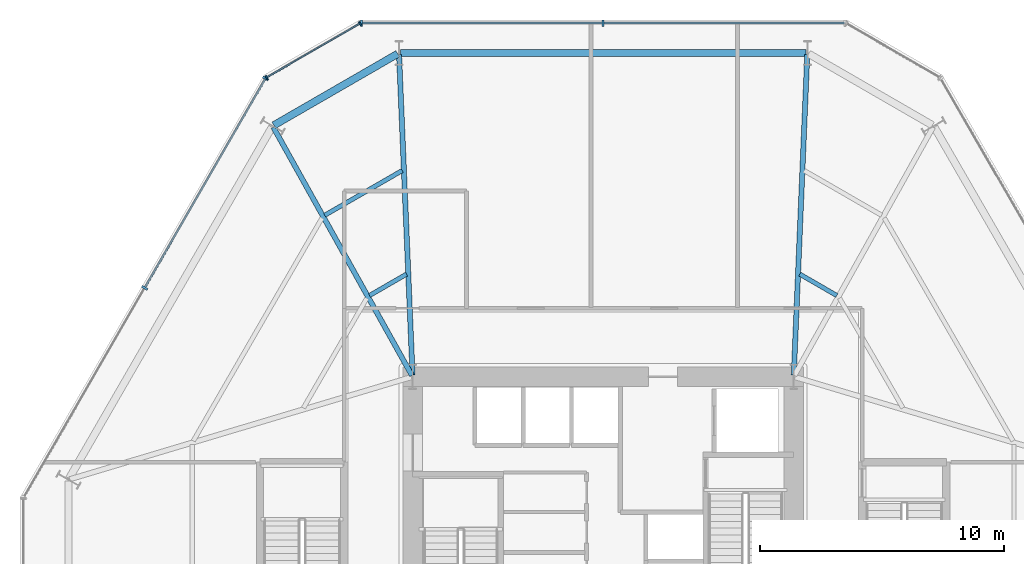
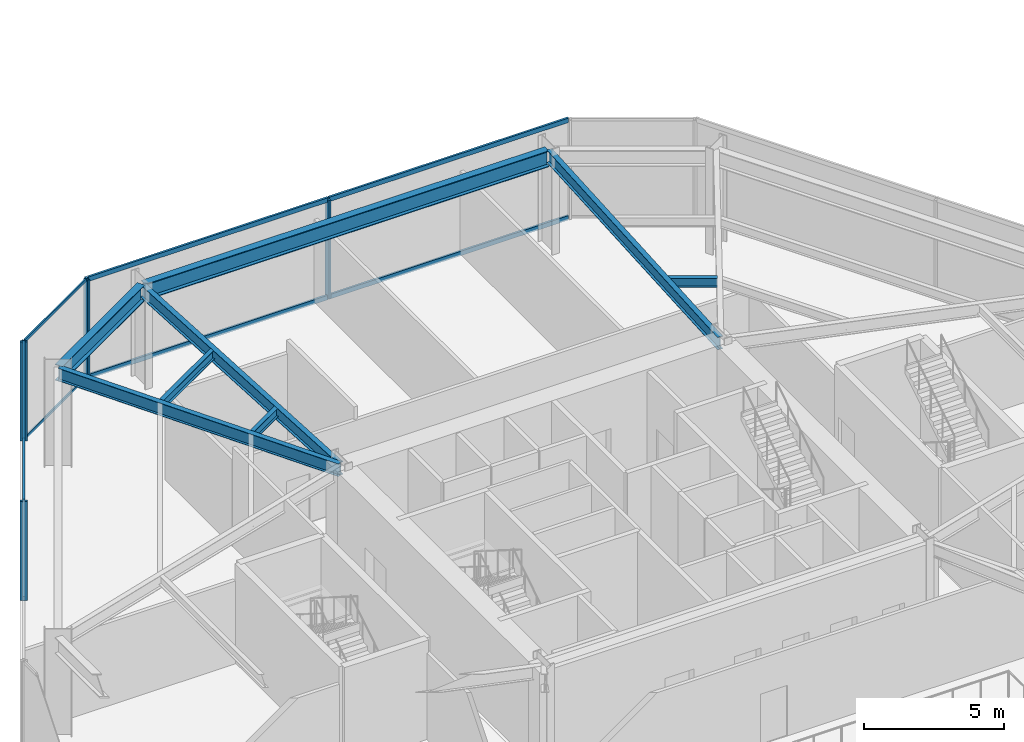
# One storey, part 12 of 23: 14 members, 8 beams, 3 elements without a shape of their own.
"""IFC4 building model written with IfcOpenShell, lengths in metres."""

import ifcopenshell
import ifcopenshell.guid

model = None  # the IFC model being written
_history = None  # IfcOwnerHistory: only IFC2X3 demands one
_inside = {}  # id of a spatial element -> (the spatial element, [elements in it])
_under = {}  # id of a project, library or spatial element -> (it, [spatial elements below it])
_declared = {}  # id of a project -> (the project, [libraries it declares])
_typed = {}  # id of a type object -> (the type object, [elements of that type])
_made_of = {}  # id of a material, layer set ... -> (it, [elements and type objects made of it])


def new_model(schema):
    """Start an empty IFC model of exactly this schema.

    Asked for "IFC4X3", IfcOpenShell would pick the latest addendum, in which some entities
    have other attributes; the version numbers below select the first issue.
    IFC2X3 requires an IfcOwnerHistory on every rooted entity: one is made here for all.
    """
    global model, _history
    if schema == "IFC4X3":
        model = ifcopenshell.file(schema_version=(4, 3, 0, 0))
    else:
        model = ifcopenshell.file(schema=schema)
    _inside.clear()
    _under.clear()
    _declared.clear()
    _typed.clear()
    _made_of.clear()
    _history = None
    if model.schema == "IFC2X3":
        org = make("IfcOrganization", Name="unknown")
        user = make(
            "IfcPersonAndOrganization",
            ThePerson=make("IfcPerson", FamilyName="unknown"),
            TheOrganization=org,
        )
        app = make(
            "IfcApplication",
            ApplicationDeveloper=org,
            Version="unknown",
            ApplicationFullName="unknown",
            ApplicationIdentifier="unknown",
        )
        _history = make(
            "IfcOwnerHistory",
            OwningUser=user,
            OwningApplication=app,
            ChangeAction="ADDED",
            CreationDate=0,
        )
    return model


def make(cls, **values):
    """One entity of the class cls with the attributes given. An attribute that is None is left unset."""
    return model.create_entity(
        cls, **{name: value for name, value in values.items() if value is not None}
    )


def rooted(cls, **values):
    """An entity with a GlobalId (a new one), such as an element, a storey or a relation."""
    return make(cls, GlobalId=ifcopenshell.guid.new(), OwnerHistory=_history, **values)


def si_unit(unit_type, name, prefix=None):
    """IfcSIUnit, for example si_unit("LENGTHUNIT", "METRE", prefix="MILLI")."""
    return make("IfcSIUnit", UnitType=unit_type, Prefix=prefix, Name=name)


def assignment(units):
    """IfcUnitAssignment: the units of a project."""
    return None if units is None else make("IfcUnitAssignment", Units=units)


def point(xyz):
    """IfcCartesianPoint."""
    return None if xyz is None else make("IfcCartesianPoint", Coordinates=xyz)


def direction(xyz):
    """IfcDirection."""
    return None if xyz is None else make("IfcDirection", DirectionRatios=xyz)


def frame(location, z_axis=None, x_axis=None):
    """IfcAxis2Placement3D, a coordinate frame: its origin and axes. An axis left out is left unset."""
    return make(
        "IfcAxis2Placement3D",
        Location=point(location),
        Axis=direction(z_axis),
        RefDirection=direction(x_axis),
    )


def frame_2d(location, x_axis=None):
    """IfcAxis2Placement2D, a coordinate frame in the plane: its origin and x axis."""
    return make(
        "IfcAxis2Placement2D", Location=point(location), RefDirection=direction(x_axis)
    )


def origin():
    """The frame at (0, 0, 0) with its axes left unset."""
    return frame((0.0, 0.0, 0.0))


def origin_2d():
    """The frame at (0, 0) in the plane with its x axis left unset."""
    return frame_2d((0.0, 0.0))


def place(relative_to, where):
    """IfcLocalPlacement: puts the frame where relative to a parent placement (None: the world)."""
    return make(
        "IfcLocalPlacement", PlacementRelTo=relative_to, RelativePlacement=where
    )


def context(
    kind, dimensions, precision=None, world=None, true_north=None, identifier=None
):
    """IfcGeometricRepresentationContext, for example the 3D "Model" context."""
    return make(
        "IfcGeometricRepresentationContext",
        ContextIdentifier=identifier,
        ContextType=kind,
        CoordinateSpaceDimension=dimensions,
        Precision=precision,
        WorldCoordinateSystem=world,
        TrueNorth=true_north,
    )


def subcontext(parent, identifier, kind, view, scale=None):
    """IfcGeometricRepresentationSubContext, for example "Body" below "Model"."""
    return make(
        "IfcGeometricRepresentationSubContext",
        ContextIdentifier=identifier,
        ContextType=kind,
        ParentContext=parent,
        TargetScale=scale,
        TargetView=view,
    )


def project(units=None, contexts=None):
    """IfcProject with its units and contexts."""
    return rooted(
        "IfcProject",
        Name="project",
        RepresentationContexts=contexts,
        UnitsInContext=assignment(units),
    )


def spatial(cls, under=None, at=None, **own):
    """A site, building, storey or space (cls), placed at a placement, below another one or the project."""
    s = rooted(cls, ObjectPlacement=at, **own)
    if under is not None:
        _under.setdefault(under.id(), (under, []))[1].append(s)
    return s


def profile(cls, at=None, kind="AREA", **sizes):
    """A parametric profile (cls). Its sizes go by their IFC names, for example OverallWidth=200.0."""
    return make(cls, ProfileType=kind, Position=at, **sizes)


def rectangle(**sizes):
    """IfcRectangleProfileDef."""
    return profile("IfcRectangleProfileDef", **sizes)


def i_section(**sizes):
    """IfcIShapeProfileDef."""
    return profile("IfcIShapeProfileDef", **sizes)


def extrude(swept, where, along, depth):
    """IfcExtrudedAreaSolid: the profile swept, set in the frame where, extruded along a direction by depth."""
    return make(
        "IfcExtrudedAreaSolid",
        SweptArea=swept,
        Position=where,
        ExtrudedDirection=direction(along),
        Depth=depth,
    )


def shape(context_of_items, identifier, shape_type, items):
    """IfcShapeRepresentation: the items that make up one representation, for example the "Body"."""
    return make(
        "IfcShapeRepresentation",
        ContextOfItems=context_of_items,
        RepresentationIdentifier=identifier,
        RepresentationType=shape_type,
        Items=items,
    )


def material(Name=None, Category=None):
    """IfcMaterial."""
    return make("IfcMaterial", Name=Name, Category=Category)


def layer(
    of_material, thickness, ventilated=None, Name=None, Category=None, Priority=None
):
    """IfcMaterialLayer: one layer of a wall or slab, of a material (None: an air gap)."""
    return make(
        "IfcMaterialLayer",
        Material=of_material,
        LayerThickness=thickness,
        IsVentilated=ventilated,
        Name=Name,
        Category=Category,
        Priority=Priority,
    )


def layer_set(layers, Name=None):
    """IfcMaterialLayerSet."""
    return make("IfcMaterialLayerSet", MaterialLayers=layers, LayerSetName=Name)


def material_profile(
    of_material, cross_section, Name=None, Category=None, Priority=None
):
    """IfcMaterialProfile: a cross section and its material."""
    return make(
        "IfcMaterialProfile",
        Name=Name,
        Material=of_material,
        Profile=cross_section,
        Priority=Priority,
        Category=Category,
    )


def profile_set(profiles, Name=None, composite=None):
    """IfcMaterialProfileSet."""
    return make(
        "IfcMaterialProfileSet",
        Name=Name,
        MaterialProfiles=profiles,
        CompositeProfile=composite,
    )


def made_of(thing, what):
    """Note that an element or type object is made of a material, layer set ...; save() writes the relation."""
    if what is not None:
        _made_of.setdefault(what.id(), (what, []))[1].append(thing)
    return thing


def type_object(cls, material=None, **own):
    """A type object (cls), such as IfcWallType, which elements share."""
    return made_of(rooted(cls, **own), material)


def element(
    cls,
    number,
    at=None,
    inside=None,
    cuts=None,
    type_object=None,
    material=None,
    context=None,
    identifier="Body",
    shape_type=None,
    held_by="IfcProductDefinitionShape",
    body=None,
    shapes=None,
    **own,
):
    """One element of the class cls, such as IfcWall. Its Tag is "e" and its number.

    at: its placement. inside: the storey or other place that contains it. cuts: it is an
    opening in that element (IfcRelVoidsElement). A single representation is given by context,
    identifier, shape_type and body (its items); several are given by shapes. held_by: the class
    of the entity that holds the representations. save() writes the other relations.
    """
    e = rooted(cls, Tag="e%d" % number, ObjectPlacement=at, **own)
    if body is not None:
        shapes = [shape(context, identifier, shape_type, body)]
    if shapes is not None:
        e.Representation = make(held_by, Representations=shapes)
    if inside is not None:
        _inside.setdefault(inside.id(), (inside, []))[1].append(e)
    if cuts is not None:
        rooted(
            "IfcRelVoidsElement", RelatingBuildingElement=cuts, RelatedOpeningElement=e
        )
    if type_object is not None:
        _typed.setdefault(type_object.id(), (type_object, []))[1].append(e)
    return made_of(e, material)


def aggregate(whole, parts):
    """IfcRelAggregates: a whole, such as a stair, and the parts it consists of."""
    return rooted("IfcRelAggregates", RelatingObject=whole, RelatedObjects=parts)


def save(model, path):
    """Write the relations noted so far, then the file.

    IfcRelAggregates (storeys below a building ...), IfcRelContainedInSpatialStructure (elements
    in a storey), IfcRelDefinesByType, IfcRelAssociatesMaterial and IfcRelDeclares: one each for
    every whole, place, type object, material and project.
    """
    for whole, parts in _under.values():
        aggregate(whole, parts)
    for where, things in _inside.values():
        rooted(
            "IfcRelContainedInSpatialStructure",
            RelatedElements=things,
            RelatingStructure=where,
        )
    for kind, things in _typed.values():
        rooted("IfcRelDefinesByType", RelatedObjects=things, RelatingType=kind)
    for what, things in _made_of.values():
        rooted("IfcRelAssociatesMaterial", RelatedObjects=things, RelatingMaterial=what)
    for by, libraries in _declared.values():
        rooted("IfcRelDeclares", RelatingContext=by, RelatedDefinitions=libraries)
    model.write(path)


model = new_model("IFC4")

# Units and contexts
model_context = context("Model", 3, precision=1e-05, world=origin(), true_north=direction((0.0, 1.0)))
body_context = subcontext(model_context, "Body", "Model", "MODEL_VIEW")
ifc_project = project(units=[si_unit("LENGTHUNIT", "METRE"), si_unit("AREAUNIT", "SQUARE_METRE"), si_unit("VOLUMEUNIT", "CUBIC_METRE"), si_unit("PLANEANGLEUNIT", "RADIAN"), si_unit("MASSUNIT", "GRAM", prefix="KILO")], contexts=[model_context])

# Site, building, storey
site_placement = place(None, origin())
site = spatial("IfcSite", under=ifc_project, at=site_placement, CompositionType="ELEMENT")
building_placement = place(site_placement, origin())
building = spatial("IfcBuilding", under=site, at=building_placement, Name="Kranzbogen Civic Tower", CompositionType="ELEMENT")
storey_placement = place(building_placement, frame((0.0, 0.0, 14.39990234375)))
storey = spatial("IfcBuildingStorey", under=building, at=storey_placement, Name="L03", CompositionType="ELEMENT", Elevation=14.39990234375)

# Curtain wall, members
ifc_material_1 = material(Name="Pale Anodised Aluminium", Category="aluminium")
ifc_layer_1 = layer(ifc_material_1, 0.219970703125, Name="Pale Anodised Aluminium")
ifc_layer_set_1 = layer_set([ifc_layer_1], Name="Pale Anodised Aluminium")
curtain_wall_type_1 = type_object("IfcCurtainWallType", Name="Chamfer Facet Stick Curtain Wall System CW-06", PredefinedType="USERDEFINED", material=ifc_layer_set_1)
curtain_wall_1_placement = place(storey_placement, origin())
curtain_wall_1 = element("IfcCurtainWall", 1, at=curtain_wall_1_placement, inside=storey, type_object=curtain_wall_type_1, Name="L03 curtain wall CW-L03-C2", ObjectType="STICK CURTAIN WALL", PredefinedType="USERDEFINED")
ifc_material_profile_1 = material_profile(ifc_material_1, rectangle(XDim=0.06005859375, YDim=0.159912109375, at=origin_2d()), Name="ALU-M 60x160")
ifc_profile_set_1 = profile_set([ifc_material_profile_1], Name="Pale Anodised Aluminium")
member_type_1 = type_object("IfcMemberType", Name="Curtain Wall Mullion ALU-M 60x160", PredefinedType="MULLION", material=ifc_profile_set_1)
member_1_placement = place(storey_placement, frame((15.0439453125, 46.657958984375, 0.0), z_axis=(0.0, 0.0, 1.0), x_axis=(-0.865992001897, -0.500057849305, 0.0)))
member_1 = element("IfcMember", 2, at=member_1_placement, type_object=member_type_1, Name="CW-06 mullion 1", PredefinedType="MULLION", context=body_context, shape_type="SweptSolid", body=[
    extrude(rectangle(XDim=0.06005859375, YDim=0.159912109375, at=origin_2d()), origin(), (0.0, 0.0, 1.0), 4.300048828125),
])
member_2_placement = place(storey_placement, frame((11.221923828125, 44.450927734375, 0.0), z_axis=(0.0, 0.0, 1.0), x_axis=(-0.865992001897, -0.500057849305, 0.0)))
member_2 = element("IfcMember", 3, at=member_2_placement, type_object=member_type_1, Name="CW-06 mullion 2", PredefinedType="MULLION", context=body_context, shape_type="SweptSolid", body=[
    extrude(rectangle(XDim=0.06005859375, YDim=0.159912109375, at=origin_2d()), origin(), (0.0, 0.0, 1.0), 4.300048828125),
])

ifc_layer_2 = layer(ifc_material_1, 0.219970703125, Name="Pale Anodised Aluminium")
ifc_layer_set_2 = layer_set([ifc_layer_2], Name="Pale Anodised Aluminium")
curtain_wall_type_2 = type_object("IfcCurtainWallType", Name="Podium Stick Curtain Wall System CW-01", PredefinedType="USERDEFINED", material=ifc_layer_set_2)
curtain_wall_2_placement = place(storey_placement, origin())
curtain_wall_2 = element("IfcCurtainWall", 4, at=curtain_wall_2_placement, inside=storey, type_object=curtain_wall_type_2, Name="L03 curtain wall CW-L03-F2", ObjectType="STICK CURTAIN WALL", PredefinedType="USERDEFINED")
ifc_material_profile_2 = material_profile(ifc_material_1, rectangle(XDim=0.0849609375, YDim=0.260009765625, at=origin_2d()), Name="ALU-M 85x260")
ifc_profile_set_2 = profile_set([ifc_material_profile_2], Name="Pale Anodised Aluminium")
member_type_2 = type_object("IfcMemberType", Name="Curtain Wall Mullion ALU-M 85x260", PredefinedType="MULLION", material=ifc_profile_set_2)
member_3_placement = place(storey_placement, frame((25.0, 46.673095703125, 0.0), z_axis=(0.0, 0.0, 1.0), x_axis=(-1.0, 0.0, 0.0)))
member_3 = element("IfcMember", 5, at=member_3_placement, type_object=member_type_2, Name="CW-01 mullion 2", PredefinedType="MULLION", context=body_context, shape_type="SweptSolid", body=[
    extrude(rectangle(XDim=0.0849609375, YDim=0.260009765625, at=origin_2d()), origin(), (0.0, 0.0, 1.0), 4.300048828125),
])
member_4_placement = place(storey_placement, frame((15.10009765625, 46.673095703125, 0.0), z_axis=(0.0, 0.0, 1.0), x_axis=(-1.0, 0.0, 0.0)))
member_4 = element("IfcMember", 6, at=member_4_placement, type_object=member_type_2, Name="CW-01 mullion 3", PredefinedType="MULLION", context=body_context, shape_type="SweptSolid", body=[
    extrude(rectangle(XDim=0.0849609375, YDim=0.260009765625, at=origin_2d()), origin(), (0.0, 0.0, 1.0), 4.300048828125),
])

curtain_wall_3_placement = place(storey_placement, origin())
curtain_wall_3 = element("IfcCurtainWall", 7, at=curtain_wall_3_placement, inside=storey, type_object=curtain_wall_type_2, Name="L03 curtain wall CW-L03-F3", ObjectType="STICK CURTAIN WALL", PredefinedType="USERDEFINED")
member_5_placement = place(storey_placement, frame((11.180908203125, 44.409912109375, 0.0), z_axis=(0.0, 0.0, 1.0), x_axis=(-0.500005767433, -0.86602207393, 0.0)))
member_5 = element("IfcMember", 8, at=member_5_placement, type_object=member_type_2, Name="CW-01 mullion 1", PredefinedType="MULLION", context=body_context, shape_type="SweptSolid", body=[
    extrude(rectangle(XDim=0.0849609375, YDim=0.260009765625, at=origin_2d()), origin(), (0.0, 0.0, 1.0), 4.300048828125),
])
member_6_placement = place(storey_placement, frame((6.23095703125, 35.83642578125, 0.0), z_axis=(0.0, 0.0, 1.0), x_axis=(-0.500005767433, -0.86602207393, 0.0)))
member_6 = element("IfcMember", 9, at=member_6_placement, type_object=member_type_2, Name="CW-01 mullion 2", PredefinedType="MULLION", context=body_context, shape_type="SweptSolid", body=[
    extrude(rectangle(XDim=0.0849609375, YDim=0.260009765625, at=origin_2d()), origin(), (0.0, 0.0, 1.0), 4.300048828125),
])

# Member
ifc_material_profile_3 = material_profile(ifc_material_1, rectangle(XDim=0.06005859375, YDim=0.1201171875, at=origin_2d()), Name="ALU-T 60x120")
ifc_profile_set_3 = profile_set([ifc_material_profile_3], Name="Pale Anodised Aluminium")
member_type_3 = type_object("IfcMemberType", Name="Curtain Wall Transom ALU-T 60x120", PredefinedType="USERDEFINED", material=ifc_profile_set_3)
member_7_placement = place(storey_placement, frame((15.01806640625, 46.64306640625, 0.030029296875), z_axis=(-0.865987588642, -0.500065492029, 0.0), x_axis=(0.500065492029, -0.865987588642, 0.0)))
member_7 = element("IfcMember", 10, at=member_7_placement, type_object=member_type_3, Name="CW-06 transom 1.1", ObjectType="TRANSOM", PredefinedType="USERDEFINED", context=body_context, shape_type="SweptSolid", body=[
    extrude(rectangle(XDim=0.06005859375, YDim=0.1201171875, at=origin_2d()), origin(), (0.0, 0.0, 1.0), 4.353515625),
])

member_8_placement = place(storey_placement, frame((15.01806640625, 46.64306640625, 4.27001953125), z_axis=(-0.865987588642, -0.500065492029, 0.0), x_axis=(0.500065492029, -0.865987588642, 0.0)))
member_8 = element("IfcMember", 11, at=member_8_placement, type_object=member_type_3, Name="CW-06 transom 1.2", ObjectType="TRANSOM", PredefinedType="USERDEFINED", context=body_context, shape_type="SweptSolid", body=[
    extrude(rectangle(XDim=0.06005859375, YDim=0.1201171875, at=origin_2d()), origin(), (0.0, 0.0, 1.0), 4.353515625),
])

aggregate(curtain_wall_1, [member_1, member_2, member_7, member_8])

ifc_material_profile_4 = material_profile(ifc_material_1, rectangle(XDim=0.0849609375, YDim=0.195068359375, at=origin_2d()), Name="ALU-T 85x195")
ifc_profile_set_4 = profile_set([ifc_material_profile_4], Name="Pale Anodised Aluminium")
member_type_4 = type_object("IfcMemberType", Name="Curtain Wall Transom ALU-T 85x195", PredefinedType="USERDEFINED", material=ifc_profile_set_4)
member_9_placement = place(storey_placement, frame((34.8701171875, 46.673095703125, 0.030029296875), z_axis=(-1.0, 0.0, 0.0), x_axis=(0.0, -1.0, 0.0)))
member_9 = element("IfcMember", 12, at=member_9_placement, type_object=member_type_4, Name="CW-01 transom 1.1", ObjectType="TRANSOM", PredefinedType="USERDEFINED", context=body_context, shape_type="SweptSolid", body=[
    extrude(rectangle(XDim=0.0849609375, YDim=0.195068359375, at=origin_2d()), origin(), (0.0, 0.0, 1.0), 9.840087890625),
])

member_10_placement = place(storey_placement, frame((34.8701171875, 46.673095703125, 4.27001953125), z_axis=(-1.0, 0.0, 0.0), x_axis=(0.0, -1.0, 0.0)))
member_10 = element("IfcMember", 13, at=member_10_placement, type_object=member_type_4, Name="CW-01 transom 1.2", ObjectType="TRANSOM", PredefinedType="USERDEFINED", context=body_context, shape_type="SweptSolid", body=[
    extrude(rectangle(XDim=0.0849609375, YDim=0.195068359375, at=origin_2d()), origin(), (0.0, 0.0, 1.0), 9.840087890625),
])

member_11_placement = place(storey_placement, frame((24.969970703125, 46.673095703125, 0.030029296875), z_axis=(-1.0, 0.0, 0.0), x_axis=(0.0, -1.0, 0.0)))
member_11 = element("IfcMember", 14, at=member_11_placement, type_object=member_type_4, Name="CW-01 transom 2.1", ObjectType="TRANSOM", PredefinedType="USERDEFINED", context=body_context, shape_type="SweptSolid", body=[
    extrude(rectangle(XDim=0.0849609375, YDim=0.195068359375, at=origin_2d()), origin(), (0.0, 0.0, 1.0), 9.840087890625),
])

member_12_placement = place(storey_placement, frame((24.969970703125, 46.673095703125, 4.27001953125), z_axis=(-1.0, 0.0, 0.0), x_axis=(0.0, -1.0, 0.0)))
member_12 = element("IfcMember", 15, at=member_12_placement, type_object=member_type_4, Name="CW-01 transom 2.2", ObjectType="TRANSOM", PredefinedType="USERDEFINED", context=body_context, shape_type="SweptSolid", body=[
    extrude(rectangle(XDim=0.0849609375, YDim=0.195068359375, at=origin_2d()), origin(), (0.0, 0.0, 1.0), 9.840087890625),
])

aggregate(curtain_wall_2, [member_3, member_4, member_9, member_10, member_11, member_12])

member_13_placement = place(storey_placement, frame((11.166015625, 44.384033203125, 0.030029296875), z_axis=(-0.500003092839, -0.866023618125, 0.0), x_axis=(0.866023618125, -0.500003092839, 0.0)))
member_13 = element("IfcMember", 16, at=member_13_placement, type_object=member_type_4, Name="CW-01 transom 1.1", ObjectType="TRANSOM", PredefinedType="USERDEFINED", context=body_context, shape_type="SweptSolid", body=[
    extrude(rectangle(XDim=0.0849609375, YDim=0.195068359375, at=origin_2d()), origin(), (0.0, 0.0, 1.0), 9.83984375),
])

member_14_placement = place(storey_placement, frame((11.166015625, 44.384033203125, 4.27001953125), z_axis=(-0.500003092839, -0.866023618125, 0.0), x_axis=(0.866023618125, -0.500003092839, 0.0)))
member_14 = element("IfcMember", 17, at=member_14_placement, type_object=member_type_4, Name="CW-01 transom 1.2", ObjectType="TRANSOM", PredefinedType="USERDEFINED", context=body_context, shape_type="SweptSolid", body=[
    extrude(rectangle(XDim=0.0849609375, YDim=0.195068359375, at=origin_2d()), origin(), (0.0, 0.0, 1.0), 9.83984375),
])

aggregate(curtain_wall_3, [member_5, member_6, member_13, member_14])

# Beams
ifc_material_2 = material(Name="Steel S355", Category="steel")
ifc_material_profile_5 = material_profile(ifc_material_2, i_section(OverallWidth=0.300048828125, OverallDepth=0.699951171875, WebThickness=0.01708984375, FlangeThickness=0.031982421875, at=origin_2d()), Name="HEB 700")
ifc_profile_set_5 = profile_set([ifc_material_profile_5], Name="Steel S355")
beam_type_1 = type_object("IfcBeamType", Name="Perimeter Tube Spandrel Beam HEB 700", PredefinedType="SPANDREL", material=ifc_profile_set_5)
beam_1_placement = place(storey_placement, frame((33.299072265625, 45.449951171875, 3.9501953125), z_axis=(-1.0, 0.0, 0.0), x_axis=(0.0, -1.0, 0.0)))
element("IfcBeam", 18, at=beam_1_placement, inside=storey, type_object=beam_type_1, Name="L03 perimeter spandrel beam 09", PredefinedType="SPANDREL", context=body_context, shape_type="SweptSolid", body=[
    extrude(i_section(OverallWidth=0.300048828125, OverallDepth=0.699951171875, WebThickness=0.01708984375, FlangeThickness=0.031982421875, at=origin_2d()), origin(), (0.0, 0.0, 1.0), 16.59814453125),
])
beam_2_placement = place(storey_placement, frame((16.589111328125, 45.419921875, 3.9501953125), z_axis=(-0.86602927387, -0.499993296755, 0.0), x_axis=(0.499993296755, -0.86602927387, 0.0)))
element("IfcBeam", 19, at=beam_2_placement, inside=storey, type_object=beam_type_1, Name="L03 perimeter spandrel beam 10", PredefinedType="SPANDREL", context=body_context, shape_type="SweptSolid", body=[
    extrude(i_section(OverallWidth=0.300048828125, OverallDepth=0.699951171875, WebThickness=0.01708984375, FlangeThickness=0.031982421875, at=origin_2d()), origin(), (0.0, 0.0, 1.0), 5.85205078125),
])
ifc_material_profile_6 = material_profile(ifc_material_2, i_section(OverallWidth=0.2099609375, OverallDepth=0.550048828125, WebThickness=0.010986328125, FlangeThickness=0.01708984375, at=origin_2d()), Name="IPE 550")
ifc_profile_set_6 = profile_set([ifc_material_profile_6], Name="Steel S355")
beam_type_2 = type_object("IfcBeamType", Name="Radial Tower Floor Girder IPE 550", PredefinedType="BEAM", material=ifc_profile_set_6)
for number, where, z_axis, x_axis, name in (
    (20, (33.35595703125, 45.389892578125, 4.025146484375), (-0.04207872602, -0.999114298174, 0.0), (0.999114298174, -0.04207872602, 0.0), "L03 radial floor girder 09"),
    (21, (16.64404296875, 45.389892578125, 4.025146484375), (0.04207872602, -0.999114298174, 0.0), (0.999114298174, 0.04207872602, 0.0), "L03 radial floor girder 10"),
):
    element("IfcBeam", number, at=place(storey_placement, frame(where, z_axis=z_axis, x_axis=x_axis)), inside=storey, type_object=beam_type_2, Name=name, PredefinedType="BEAM", context=body_context, shape_type="SweptSolid", body=[
        extrude(i_section(OverallWidth=0.2099609375, OverallDepth=0.550048828125, WebThickness=0.010986328125, FlangeThickness=0.01708984375, at=origin_2d()), origin(), (0.0, 0.0, 1.0), 13.1416015625),
    ])
beam_3_placement = place(storey_placement, frame((11.498046875, 42.412109375, 4.025146484375), z_axis=(0.487501570266, -0.87312211001, 0.0), x_axis=(0.87312211001, 0.487501570266, 0.0)))
element("IfcBeam", 22, at=beam_3_placement, inside=storey, type_object=beam_type_2, Name="L03 radial floor girder 11", PredefinedType="BEAM", context=body_context, shape_type="SweptSolid", body=[
    extrude(i_section(OverallWidth=0.2099609375, OverallDepth=0.550048828125, WebThickness=0.010986328125, FlangeThickness=0.01708984375, at=origin_2d()), origin(), (0.0, 0.0, 1.0), 11.636474609375),
])
ifc_material_profile_7 = material_profile(ifc_material_2, i_section(OverallWidth=0.179931640625, OverallDepth=0.39990234375, WebThickness=0.008544921875, FlangeThickness=0.013427734375, at=origin_2d()), Name="IPE 400")
ifc_profile_set_7 = profile_set([ifc_material_profile_7], Name="Steel S355")
beam_type_3 = type_object("IfcBeamType", Name="Secondary Composite Floor Joist IPE 400", PredefinedType="JOIST", material=ifc_profile_set_7)
beam_4_placement = place(storey_placement, frame((34.56494140625, 35.52392578125, 4.10009765625), z_axis=(-0.86596970562, 0.500096459644, 0.0), x_axis=(-0.500096459644, -0.86596970562, 0.0)))
element("IfcBeam", 23, at=beam_4_placement, inside=storey, type_object=beam_type_3, Name="L03 secondary floor joist 2.08", PredefinedType="JOIST", context=body_context, shape_type="SweptSolid", body=[
    extrude(i_section(OverallWidth=0.179931640625, OverallDepth=0.39990234375, WebThickness=0.008544921875, FlangeThickness=0.013427734375, at=origin_2d()), origin(), (0.0, 0.0, 1.0), 1.751708984375),
])
beam_5_placement = place(storey_placement, frame((16.77294921875, 40.639892578125, 4.10009765625), z_axis=(-0.866081244924, -0.499903267833, 0.0), x_axis=(0.499903267833, -0.866081244924, 0.0)))
element("IfcBeam", 24, at=beam_5_placement, inside=storey, type_object=beam_type_3, Name="L03 secondary floor joist 1.10", PredefinedType="JOIST", context=body_context, shape_type="SweptSolid", body=[
    extrude(i_section(OverallWidth=0.179931640625, OverallDepth=0.39990234375, WebThickness=0.008544921875, FlangeThickness=0.013427734375, at=origin_2d()), origin(), (0.0, 0.0, 1.0), 3.662353515625),
])
beam_6_placement = place(storey_placement, frame((16.951904296875, 36.39990234375, 4.10009765625), z_axis=(-0.86596970562, -0.500096459644, 0.0), x_axis=(0.500096459644, -0.86596970562, 0.0)))
element("IfcBeam", 25, at=beam_6_placement, inside=storey, type_object=beam_type_3, Name="L03 secondary floor joist 2.10", PredefinedType="JOIST", context=body_context, shape_type="SweptSolid", body=[
    extrude(i_section(OverallWidth=0.179931640625, OverallDepth=0.39990234375, WebThickness=0.008544921875, FlangeThickness=0.013427734375, at=origin_2d()), origin(), (0.0, 0.0, 1.0), 1.751708984375),
])

save(model, "model.ifc")
